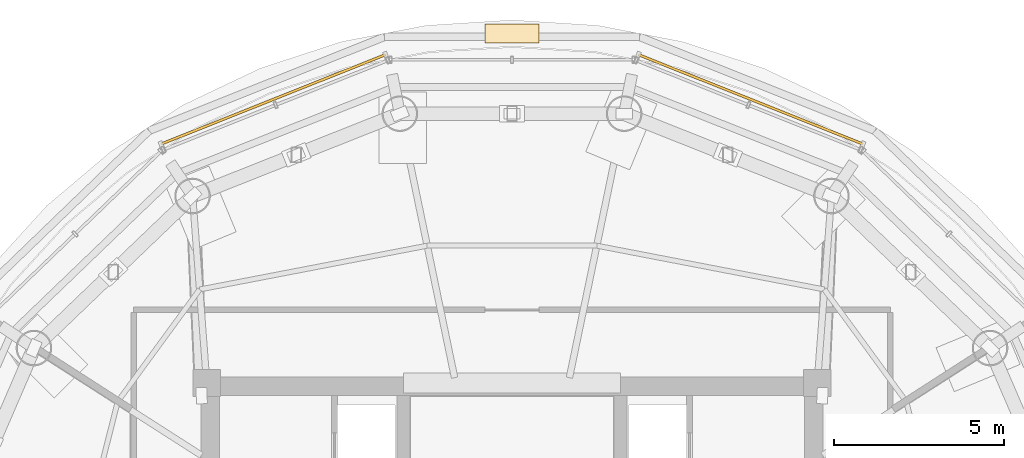
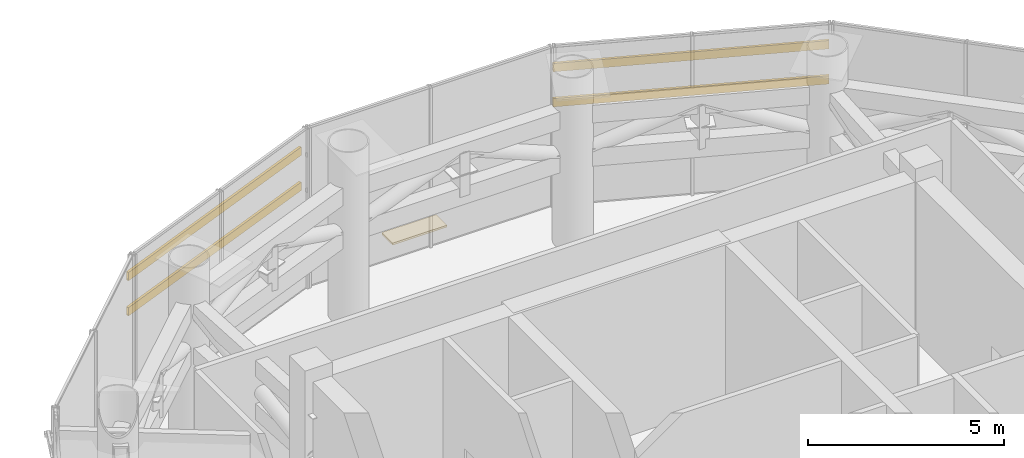
# One storey, part 21 of 21: 4 shading devices, 1 covering.
"""IFC4 building model written with IfcOpenShell, lengths in metres."""

from ifc_helpers import new_model, si_unit, direction, frame, origin, origin_2d, place, context, subcontext, project, spatial, rectangle, hollow_rectangle, extrude, source, transform, mapped, material, layer, layer_set, material_profile, profile_set, type_object, element, save


model = new_model("IFC4")

# Units and contexts
model_context = context("Model", 3, precision=1e-05, world=origin(), true_north=direction((-0.2419218956, 0.970295726276)))
body_context = subcontext(model_context, "Body", "Model", "MODEL_VIEW")
ifc_project = project(units=[si_unit("LENGTHUNIT", "METRE"), si_unit("AREAUNIT", "SQUARE_METRE"), si_unit("VOLUMEUNIT", "CUBIC_METRE"), si_unit("PLANEANGLEUNIT", "RADIAN"), si_unit("MASSUNIT", "GRAM", prefix="KILO")], contexts=[model_context])

# Site, building, storey
site_placement = place(None, origin())
site = spatial("IfcSite", under=ifc_project, at=site_placement, CompositionType="ELEMENT")
building_placement = place(site_placement, origin())
building = spatial("IfcBuilding", under=site, at=building_placement, Name="Cobrevalo Terracotta Tower", CompositionType="ELEMENT")
storey_placement = place(building_placement, frame((0.0, 0.0, 300.699951171875)))
storey = spatial("IfcBuildingStorey", under=building, at=storey_placement, Name="L79", CompositionType="ELEMENT", Elevation=300.699951171875)

# Shading devices
ifc_material_1 = material(Name="Anodized aluminium and terracotta", Category="masonry")
ifc_material_profile = material_profile(ifc_material_1, hollow_rectangle(XDim=0.074951171875, YDim=0.260009765625, WallThickness=0.006103515625, at=origin_2d()), Name="LOUVRE BLADE 75x260")
ifc_profile_set = profile_set([ifc_material_profile], Name="Anodized aluminium and terracotta")
shading_device_type = type_object("IfcShadingDeviceType", Name="Plant Acoustic Weather Louvre Blade 75x260", PredefinedType="USERDEFINED", material=ifc_profile_set)
shared_shape_1 = source(origin(), body_context, "Body", "SweptSolid", [
    extrude(hollow_rectangle(XDim=0.074951171875, YDim=0.260009765625, WallThickness=0.006103515625, at=origin_2d()), origin(), (0.0, 0.0, 1.0), 7.12646484375),
])
for number, where, z_axis, x_axis, name in (
    (1, (48.346435546875, 41.84033203125, 3.087646484375), (-0.928924919865, 0.370268136968, 0.0), (-0.370268136968, -0.928924919865, 0.0), "CW-LV-L79-S03 horizontal terracotta louvre 1"),
    (2, (48.346435546875, 41.84033203125, 4.183349609375), (-0.928924919865, 0.370268136968, 0.0), (-0.370268136968, -0.928924919865, 0.0), "CW-LV-L79-S03 horizontal terracotta louvre 2"),
    (3, (34.2734375, 44.47900390625, 3.087646484375), (-0.928924919865, -0.370268136968, 0.0), (0.370268136968, -0.928924919865, 0.0), "CW-LV-L79-S05 horizontal terracotta louvre 1"),
    (4, (34.2734375, 44.47900390625, 4.183349609375), (-0.928924919865, -0.370268136968, 0.0), (0.370268136968, -0.928924919865, 0.0), "CW-LV-L79-S05 horizontal terracotta louvre 2"),
):
    element("IfcShadingDevice", number, at=place(storey_placement, frame(where, z_axis=z_axis, x_axis=x_axis)), inside=storey, type_object=shading_device_type, Name=name, ObjectType="LOUVRE", PredefinedType="USERDEFINED", context=body_context, shape_type="MappedRepresentation", body=[
        mapped(shared_shape_1, transform((0.0, 0.0, 0.0), scale=1.0)),
    ])

# Covering
ifc_material_2 = material(Name="Insulated TPO roof waterproofing membrane", Category="bitumen")
ifc_layer = layer(ifc_material_2, 0.06005859375)
ifc_layer_set = layer_set([ifc_layer], Name="Insulated TPO roof waterproofing membrane")
covering_type = type_object("IfcCoveringType", Name="Insulated UV-reflective waterproof roof membrane 60 mm", PredefinedType="ROOFING", material=ifc_layer_set)
shared_shape_2 = source(origin(), body_context, "Body", "SweptSolid", [
    extrude(rectangle(XDim=1.60009765625, YDim=0.550048828125, at=origin_2d()), origin(), (0.0, 0.0, 1.0), 0.06005859375),
])
covering_placement = place(storey_placement, frame((38.0, 45.10009765625, 0.0), z_axis=(0.0, 0.0, 1.0), x_axis=(1.0, 0.0, 0.0)))
element("IfcCovering", 5, at=covering_placement, inside=storey, type_object=covering_type, Name="L79 setback waterproof roof membrane", PredefinedType="ROOFING", context=body_context, shape_type="MappedRepresentation", body=[
    mapped(shared_shape_2, transform((0.0, 0.0, 0.0), scale=1.0)),
])

save(model, "model.ifc")
